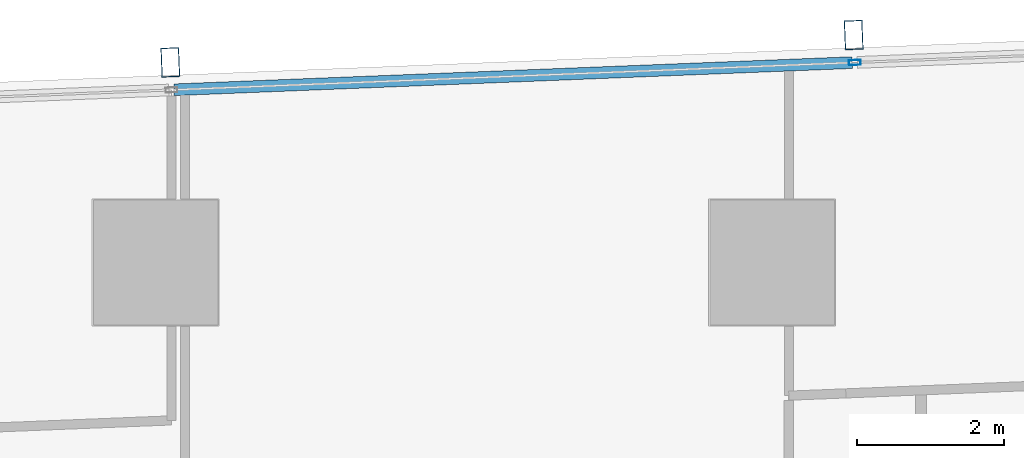
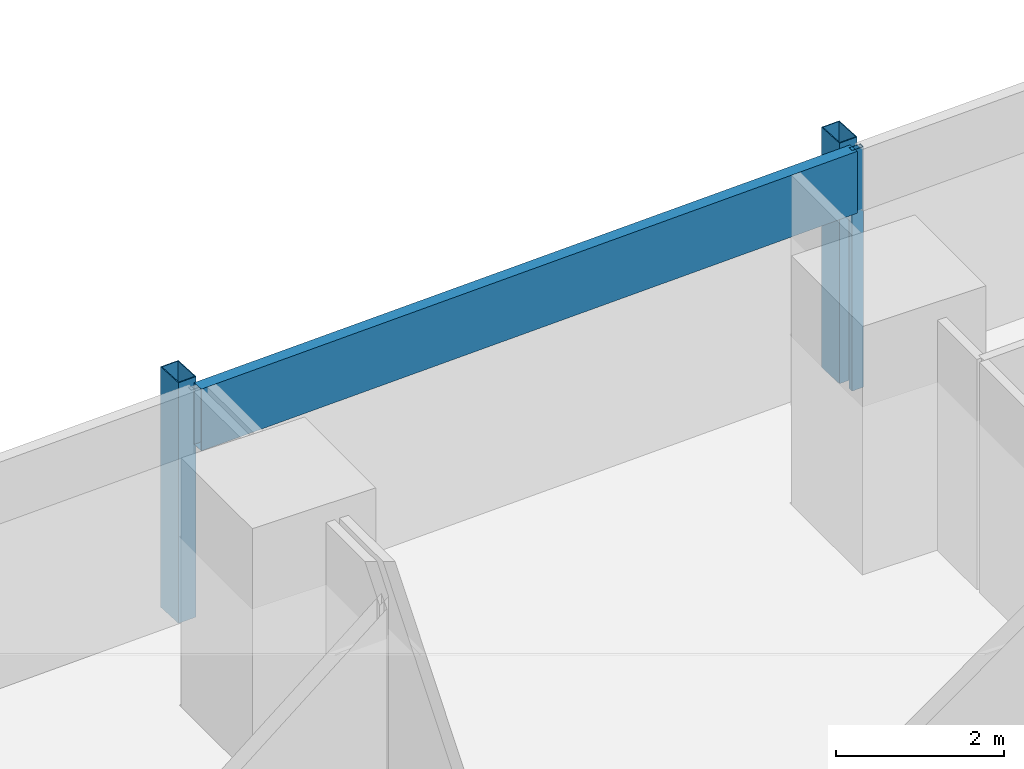
# One storey, part 17 of 40: 4 members, 1 element without a shape of its own.
"""IFC4 building model written with IfcOpenShell, lengths in metres."""

from ifc_helpers import new_model, si_unit, direction, frame, origin, origin_2d, place, context, subcontext, project, spatial, hollow_rectangle, extrude, material, material_profile, profile_set, type_object, element, aggregate, save


model = new_model("IFC4")

# Units and contexts
model_context = context("Model", 3, precision=1e-05, world=origin(), true_north=direction((0.0, 1.0)))
body_context = subcontext(model_context, "Body", "Model", "MODEL_VIEW")
ifc_project = project(units=[si_unit("LENGTHUNIT", "METRE"), si_unit("AREAUNIT", "SQUARE_METRE"), si_unit("VOLUMEUNIT", "CUBIC_METRE"), si_unit("PLANEANGLEUNIT", "RADIAN"), si_unit("MASSUNIT", "GRAM", prefix="KILO")], contexts=[model_context])

# Site, building, storey
site_placement = place(None, origin())
site = spatial("IfcSite", under=ifc_project, at=site_placement, CompositionType="ELEMENT")
building_placement = place(site_placement, origin())
building = spatial("IfcBuilding", under=site, at=building_placement, Name="Rekha Terrace Tower", CompositionType="ELEMENT")
storey_placement = place(building_placement, frame((0.0, 0.0, 110.300048828125)))
storey = spatial("IfcBuildingStorey", under=building, at=storey_placement, Name="L27", CompositionType="ELEMENT", Elevation=110.300048828125)

# Curtain wall, members
ifc_material_1 = material(Name="Aluminium framing", Category="aluminium")
curtain_wall_type = type_object("IfcCurtainWallType", Name="CW3 north unitised glazing", PredefinedType="USERDEFINED", material=ifc_material_1)
curtain_wall_placement = place(storey_placement, origin())
curtain_wall = element("IfcCurtainWall", 1, at=curtain_wall_placement, inside=storey, type_object=curtain_wall_type, Name="CW3 unitised curtain wall", ObjectType="UNITISED CURTAIN WALL", PredefinedType="USERDEFINED")
ifc_material_2 = material(Name="Steel S355 with fluorocarbon finish", Category="steel")
ifc_material_profile_1 = material_profile(ifc_material_2, hollow_rectangle(XDim=0.25, YDim=0.39990234375, WallThickness=0.012451171875, at=origin_2d()), Name="RHS400x250x12.5")
ifc_profile_set_1 = profile_set([ifc_material_profile_1], Name="Steel S355 with fluorocarbon finish")
member_type_1 = type_object("IfcMemberType", Name="BL1 facade blade RHS 400 x 250", PredefinedType="USERDEFINED", material=ifc_profile_set_1)
member_1_placement = place(storey_placement, frame((34.7109375, 61.9013671875, 0.0), z_axis=(0.0, 0.0, 1.0), x_axis=(-0.999198382632, -0.040032388711, 0.0)))
member_1 = element("IfcMember", 2, at=member_1_placement, type_object=member_type_1, Name="Facade blade", ObjectType="FACADE BLADE", PredefinedType="USERDEFINED", context=body_context, shape_type="SweptSolid", body=[
    extrude(hollow_rectangle(XDim=0.25, YDim=0.39990234375, WallThickness=0.012451171875, at=origin_2d()), origin(), (0.0, 0.0, 1.0), 3.5),
])
member_2_placement = place(storey_placement, frame((25.39892578125, 61.5283203125, 0.0), z_axis=(0.0, 0.0, 1.0), x_axis=(-0.999198382632, -0.040032388711, 0.0)))
member_2 = element("IfcMember", 3, at=member_2_placement, type_object=member_type_1, Name="Facade blade", ObjectType="FACADE BLADE", PredefinedType="USERDEFINED", context=body_context, shape_type="SweptSolid", body=[
    extrude(hollow_rectangle(XDim=0.25, YDim=0.39990234375, WallThickness=0.012451171875, at=origin_2d()), origin(), (0.0, 0.0, 1.0), 3.5),
])
ifc_material_3 = material(Name="Aluminium mullion section", Category="aluminium")
ifc_material_profile_2 = material_profile(ifc_material_3, hollow_rectangle(XDim=0.070068359375, YDim=0.159912109375, WallThickness=0.00390625, at=origin_2d()), Name="AL RHS 70x160")
ifc_profile_set_2 = profile_set([ifc_material_profile_2], Name="Aluminium mullion section")
member_type_2 = type_object("IfcMemberType", Name="CW3 mullion RHS 70 x 160", PredefinedType="MULLION", material=ifc_profile_set_2)
member_3_placement = place(storey_placement, frame((34.725830078125, 61.526611328125, 0.0), z_axis=(0.0, 0.0, 1.0), x_axis=(0.040031987119, -0.999198398721, 0.0)))
member_3 = element("IfcMember", 4, at=member_3_placement, type_object=member_type_2, Name="CW3 mullion 2", PredefinedType="MULLION", context=body_context, shape_type="SweptSolid", body=[
    extrude(hollow_rectangle(XDim=0.070068359375, YDim=0.159912109375, WallThickness=0.00390625, at=origin_2d()), origin(), (0.0, 0.0, 1.0), 3.5),
])
ifc_material_4 = material(Name="Insulated aluminium spandrel box", Category="aluminium")
ifc_material_profile_3 = material_profile(ifc_material_4, hollow_rectangle(XDim=0.159912109375, YDim=0.89990234375, WallThickness=0.0029296875, at=origin_2d()), Name="AL SPANDREL BOX 160x900")
ifc_profile_set_3 = profile_set([ifc_material_profile_3], Name="Insulated aluminium spandrel box")
member_type_3 = type_object("IfcMemberType", Name="CW3 spandrel transom 160 x 900", PredefinedType="USERDEFINED", material=ifc_profile_set_3)
member_4_placement = place(storey_placement, frame((34.69091796875, 61.525390625, 3.050048828125), z_axis=(-0.999198046754, -0.040040771263, 0.0), x_axis=(0.040040771263, -0.999198046754, 0.0)))
member_4 = element("IfcMember", 5, at=member_4_placement, type_object=member_type_3, Name="CW3 spandrel transom 2", ObjectType="TRANSOM", PredefinedType="USERDEFINED", context=body_context, shape_type="SweptSolid", body=[
    extrude(hollow_rectangle(XDim=0.159912109375, YDim=0.89990234375, WallThickness=0.0029296875, at=origin_2d()), origin(), (0.0, 0.0, 1.0), 9.24951171875),
])
aggregate(curtain_wall, [member_3, member_4, member_1, member_2])

save(model, "model.ifc")
